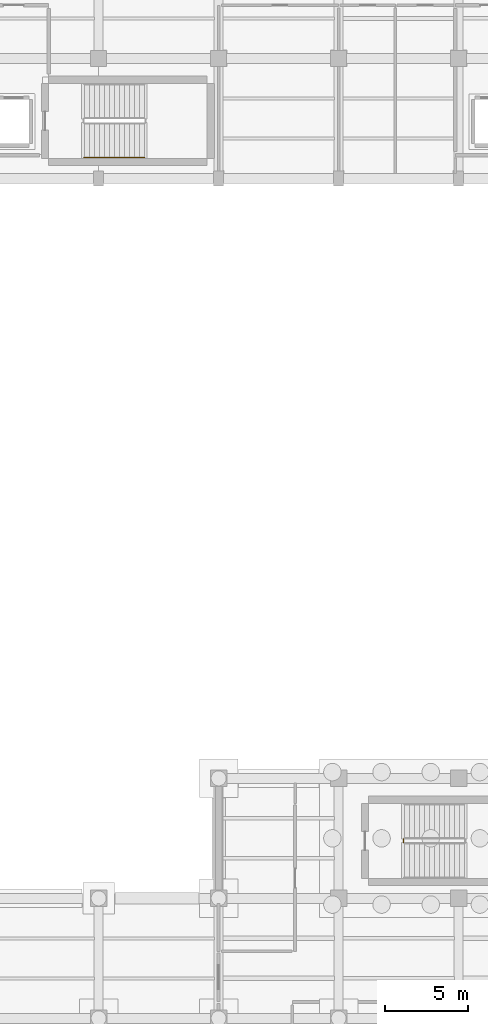
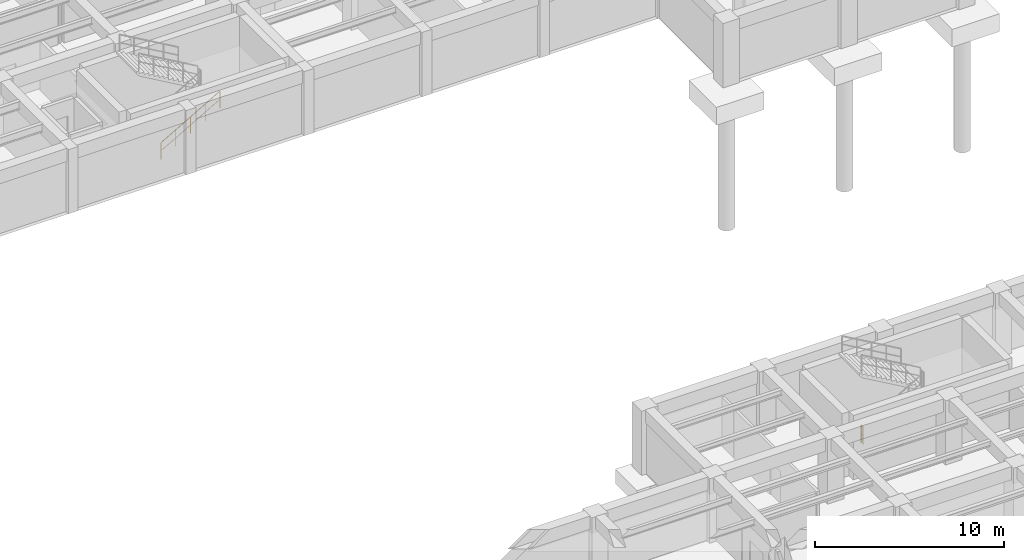
# One storey, part 28 of 34: 2 railings.
"""IFC4 building model written with IfcOpenShell, lengths in metres."""

from ifc_helpers import new_model, si_unit, direction, frame, origin, origin_2d, place, context, subcontext, project, spatial, circle, extrude, material, type_object, element, save


model = new_model("IFC4")

# Units and contexts
model_context = context("Model", 3, precision=1e-05, world=origin(), true_north=direction((0.0, 1.0)))
body_context = subcontext(model_context, "Body", "Model", "MODEL_VIEW")
ifc_project = project(units=[si_unit("LENGTHUNIT", "METRE"), si_unit("AREAUNIT", "SQUARE_METRE"), si_unit("VOLUMEUNIT", "CUBIC_METRE"), si_unit("PLANEANGLEUNIT", "RADIAN"), si_unit("MASSUNIT", "GRAM", prefix="KILO")], contexts=[model_context])

# Site, building, storey
site_placement = place(None, origin())
site = spatial("IfcSite", under=ifc_project, at=site_placement, CompositionType="ELEMENT")
building_placement = place(site_placement, origin())
building = spatial("IfcBuilding", under=site, at=building_placement, Name="Solenvale Faculty of Natural Sciences", CompositionType="ELEMENT")
storey_placement = place(building_placement, frame((0.0, 0.0, -4.5)))
storey = spatial("IfcBuildingStorey", under=building, at=storey_placement, Name="B01", CompositionType="ELEMENT", Elevation=-4.5)

# Railings
ifc_material = material(Name="Stainless steel Grade 304", Category="steel")
railing_type_1 = type_object("IfcRailingType", Name="RL-GRD-1100", PredefinedType="GUARDRAIL", material=ifc_material)
railing_1_placement = place(storey_placement, frame((126.2900390625, 53.75, 0.0)))
element("IfcRailing", 1, at=railing_1_placement, inside=storey, type_object=railing_type_1, Name="B01 ST-08 stair guard 4", PredefinedType="GUARDRAIL", context=body_context, shape_type="SweptSolid", body=[
    extrude(circle(Radius=0.02392578125, at=origin_2d()), frame((0.0, 0.0, 1.09619140625), z_axis=(0.0, 1.0, 0.0), x_axis=(-1.0, 0.0, 0.0)), (0.0, 0.0, 1.0), 0.199951171875),
    extrude(circle(Radius=0.01611328125, at=origin_2d()), frame((0.0, 0.0, 0.56005859375), z_axis=(0.0, 1.0, 0.0), x_axis=(-1.0, 0.0, 0.0)), (0.0, 0.0, 1.0), 0.199951171875),
    extrude(circle(Radius=0.02099609375, at=origin_2d()), origin(), (0.0, 0.0, 1.0), 1.072021484375),
    extrude(circle(Radius=0.02099609375, at=origin_2d()), frame((0.0, 0.199951171875, 0.0)), (0.0, 0.0, 1.0), 1.072021484375),
])
railing_type_2 = type_object("IfcRailingType", Name="RL-HND-900", PredefinedType="HANDRAIL", material=ifc_material)
railing_2_placement = place(storey_placement, frame((107.139892578125, 94.85009765625, 0.173095703125)))
element("IfcRailing", 2, at=railing_2_placement, inside=storey, type_object=railing_type_2, Name="B01 ST-04 stair handrail 1", PredefinedType="HANDRAIL", context=body_context, shape_type="SweptSolid", body=[
    extrude(circle(Radius=0.02392578125, at=origin_2d()), frame((0.0, 0.0, 1.0732421875), z_axis=(0.866193409371, 0.0, 0.499708892819), x_axis=(0.0, 1.0, 0.0)), (0.0, 0.0, 1.0), 4.15625),
    extrude(circle(Radius=0.01611328125, at=origin_2d()), frame((0.0, 0.0, 0.548583984375), z_axis=(0.866193409371, 0.0, 0.499708892819), x_axis=(0.0, 1.0, 0.0)), (0.0, 0.0, 1.0), 4.15625),
    extrude(circle(Radius=0.02099609375, at=origin_2d()), origin(), (0.0, 0.0, 1.0), 1.049072265625),
    extrude(circle(Radius=0.02099609375, at=origin_2d()), frame((0.89990234375, 0.0, 0.519287109375)), (0.0, 0.0, 1.0), 1.049072265625),
    extrude(circle(Radius=0.02099609375, at=origin_2d()), frame((1.800048828125, 0.0, 1.03857421875)), (0.0, 0.0, 1.0), 1.049072265625),
    extrude(circle(Radius=0.02099609375, at=origin_2d()), frame((2.7001953125, 0.0, 1.5576171875)), (0.0, 0.0, 1.0), 1.049072265625),
    extrude(circle(Radius=0.02099609375, at=origin_2d()), frame((3.60009765625, 0.0, 2.076904296875)), (0.0, 0.0, 1.0), 1.049072265625),
])

save(model, "model.ifc")
